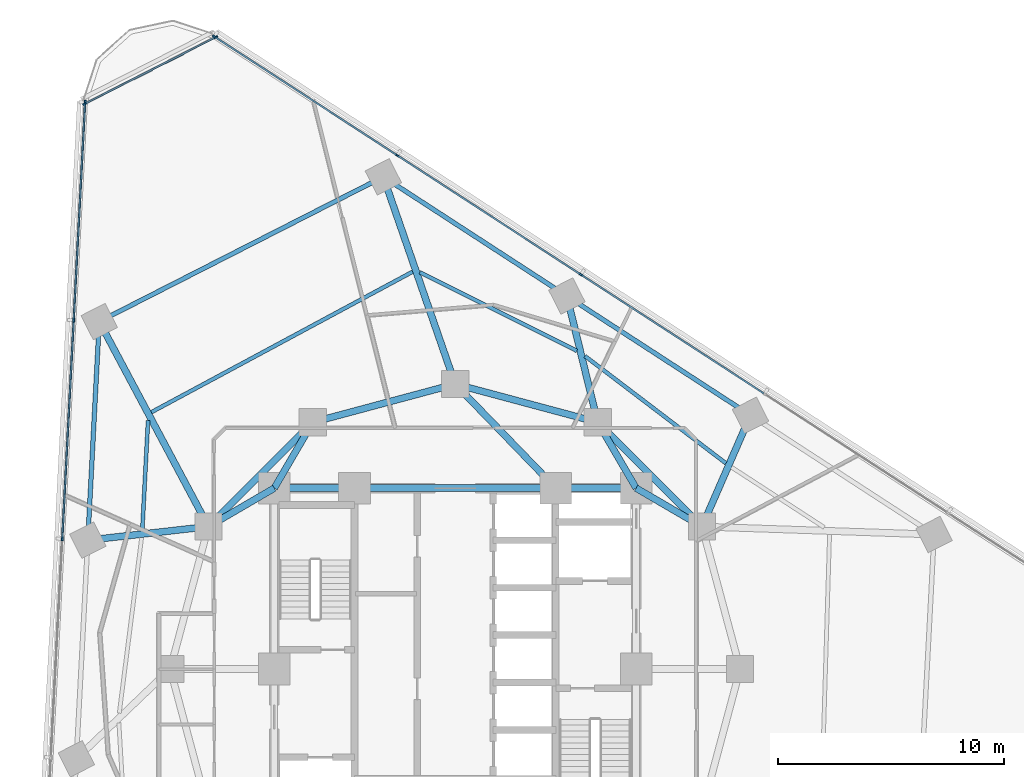
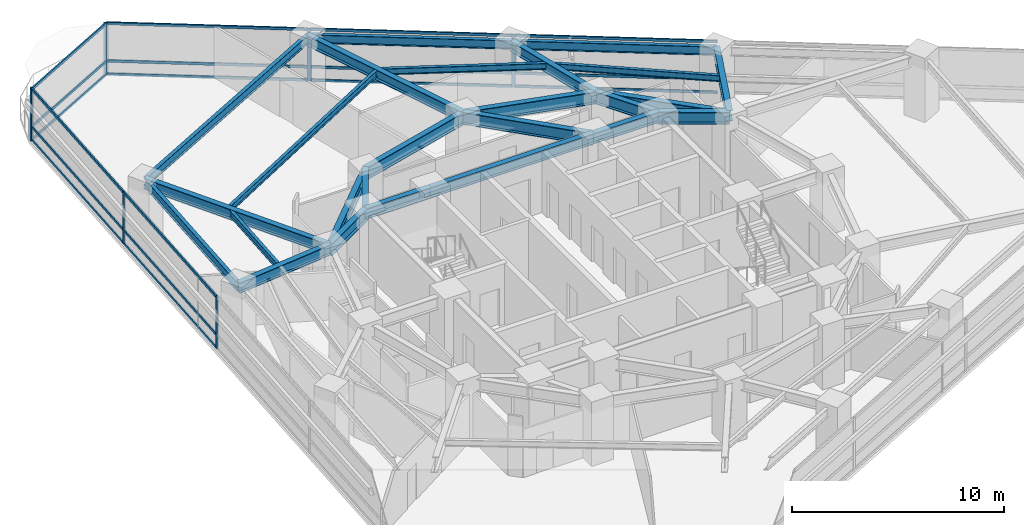
# One storey, part 5 of 14: 26 members, 25 beams, 3 elements without a shape of their own.
"""IFC4 building model written with IfcOpenShell, lengths in metres."""

import ifcopenshell
import ifcopenshell.guid

model = None  # the IFC model being written
_history = None  # IfcOwnerHistory: only IFC2X3 demands one
_inside = {}  # id of a spatial element -> (the spatial element, [elements in it])
_under = {}  # id of a project, library or spatial element -> (it, [spatial elements below it])
_declared = {}  # id of a project -> (the project, [libraries it declares])
_typed = {}  # id of a type object -> (the type object, [elements of that type])
_made_of = {}  # id of a material, layer set ... -> (it, [elements and type objects made of it])


def new_model(schema):
    """Start an empty IFC model of exactly this schema.

    Asked for "IFC4X3", IfcOpenShell would pick the latest addendum, in which some entities
    have other attributes; the version numbers below select the first issue.
    IFC2X3 requires an IfcOwnerHistory on every rooted entity: one is made here for all.
    """
    global model, _history
    if schema == "IFC4X3":
        model = ifcopenshell.file(schema_version=(4, 3, 0, 0))
    else:
        model = ifcopenshell.file(schema=schema)
    _inside.clear()
    _under.clear()
    _declared.clear()
    _typed.clear()
    _made_of.clear()
    _history = None
    if model.schema == "IFC2X3":
        org = make("IfcOrganization", Name="unknown")
        user = make(
            "IfcPersonAndOrganization",
            ThePerson=make("IfcPerson", FamilyName="unknown"),
            TheOrganization=org,
        )
        app = make(
            "IfcApplication",
            ApplicationDeveloper=org,
            Version="unknown",
            ApplicationFullName="unknown",
            ApplicationIdentifier="unknown",
        )
        _history = make(
            "IfcOwnerHistory",
            OwningUser=user,
            OwningApplication=app,
            ChangeAction="ADDED",
            CreationDate=0,
        )
    return model


def make(cls, **values):
    """One entity of the class cls with the attributes given. An attribute that is None is left unset."""
    return model.create_entity(
        cls, **{name: value for name, value in values.items() if value is not None}
    )


def rooted(cls, **values):
    """An entity with a GlobalId (a new one), such as an element, a storey or a relation."""
    return make(cls, GlobalId=ifcopenshell.guid.new(), OwnerHistory=_history, **values)


def si_unit(unit_type, name, prefix=None):
    """IfcSIUnit, for example si_unit("LENGTHUNIT", "METRE", prefix="MILLI")."""
    return make("IfcSIUnit", UnitType=unit_type, Prefix=prefix, Name=name)


def assignment(units):
    """IfcUnitAssignment: the units of a project."""
    return None if units is None else make("IfcUnitAssignment", Units=units)


def point(xyz):
    """IfcCartesianPoint."""
    return None if xyz is None else make("IfcCartesianPoint", Coordinates=xyz)


def direction(xyz):
    """IfcDirection."""
    return None if xyz is None else make("IfcDirection", DirectionRatios=xyz)


def frame(location, z_axis=None, x_axis=None):
    """IfcAxis2Placement3D, a coordinate frame: its origin and axes. An axis left out is left unset."""
    return make(
        "IfcAxis2Placement3D",
        Location=point(location),
        Axis=direction(z_axis),
        RefDirection=direction(x_axis),
    )


def frame_2d(location, x_axis=None):
    """IfcAxis2Placement2D, a coordinate frame in the plane: its origin and x axis."""
    return make(
        "IfcAxis2Placement2D", Location=point(location), RefDirection=direction(x_axis)
    )


def origin():
    """The frame at (0, 0, 0) with its axes left unset."""
    return frame((0.0, 0.0, 0.0))


def origin_2d():
    """The frame at (0, 0) in the plane with its x axis left unset."""
    return frame_2d((0.0, 0.0))


def place(relative_to, where):
    """IfcLocalPlacement: puts the frame where relative to a parent placement (None: the world)."""
    return make(
        "IfcLocalPlacement", PlacementRelTo=relative_to, RelativePlacement=where
    )


def context(
    kind, dimensions, precision=None, world=None, true_north=None, identifier=None
):
    """IfcGeometricRepresentationContext, for example the 3D "Model" context."""
    return make(
        "IfcGeometricRepresentationContext",
        ContextIdentifier=identifier,
        ContextType=kind,
        CoordinateSpaceDimension=dimensions,
        Precision=precision,
        WorldCoordinateSystem=world,
        TrueNorth=true_north,
    )


def subcontext(parent, identifier, kind, view, scale=None):
    """IfcGeometricRepresentationSubContext, for example "Body" below "Model"."""
    return make(
        "IfcGeometricRepresentationSubContext",
        ContextIdentifier=identifier,
        ContextType=kind,
        ParentContext=parent,
        TargetScale=scale,
        TargetView=view,
    )


def project(units=None, contexts=None):
    """IfcProject with its units and contexts."""
    return rooted(
        "IfcProject",
        Name="project",
        RepresentationContexts=contexts,
        UnitsInContext=assignment(units),
    )


def spatial(cls, under=None, at=None, **own):
    """A site, building, storey or space (cls), placed at a placement, below another one or the project."""
    s = rooted(cls, ObjectPlacement=at, **own)
    if under is not None:
        _under.setdefault(under.id(), (under, []))[1].append(s)
    return s


def profile(cls, at=None, kind="AREA", **sizes):
    """A parametric profile (cls). Its sizes go by their IFC names, for example OverallWidth=200.0."""
    return make(cls, ProfileType=kind, Position=at, **sizes)


def rectangle(**sizes):
    """IfcRectangleProfileDef."""
    return profile("IfcRectangleProfileDef", **sizes)


def i_section(**sizes):
    """IfcIShapeProfileDef."""
    return profile("IfcIShapeProfileDef", **sizes)


def extrude(swept, where, along, depth):
    """IfcExtrudedAreaSolid: the profile swept, set in the frame where, extruded along a direction by depth."""
    return make(
        "IfcExtrudedAreaSolid",
        SweptArea=swept,
        Position=where,
        ExtrudedDirection=direction(along),
        Depth=depth,
    )


def shape(context_of_items, identifier, shape_type, items):
    """IfcShapeRepresentation: the items that make up one representation, for example the "Body"."""
    return make(
        "IfcShapeRepresentation",
        ContextOfItems=context_of_items,
        RepresentationIdentifier=identifier,
        RepresentationType=shape_type,
        Items=items,
    )


def material(Name=None, Category=None):
    """IfcMaterial."""
    return make("IfcMaterial", Name=Name, Category=Category)


def layer(
    of_material, thickness, ventilated=None, Name=None, Category=None, Priority=None
):
    """IfcMaterialLayer: one layer of a wall or slab, of a material (None: an air gap)."""
    return make(
        "IfcMaterialLayer",
        Material=of_material,
        LayerThickness=thickness,
        IsVentilated=ventilated,
        Name=Name,
        Category=Category,
        Priority=Priority,
    )


def layer_set(layers, Name=None):
    """IfcMaterialLayerSet."""
    return make("IfcMaterialLayerSet", MaterialLayers=layers, LayerSetName=Name)


def material_profile(
    of_material, cross_section, Name=None, Category=None, Priority=None
):
    """IfcMaterialProfile: a cross section and its material."""
    return make(
        "IfcMaterialProfile",
        Name=Name,
        Material=of_material,
        Profile=cross_section,
        Priority=Priority,
        Category=Category,
    )


def profile_set(profiles, Name=None, composite=None):
    """IfcMaterialProfileSet."""
    return make(
        "IfcMaterialProfileSet",
        Name=Name,
        MaterialProfiles=profiles,
        CompositeProfile=composite,
    )


def made_of(thing, what):
    """Note that an element or type object is made of a material, layer set ...; save() writes the relation."""
    if what is not None:
        _made_of.setdefault(what.id(), (what, []))[1].append(thing)
    return thing


def type_object(cls, material=None, **own):
    """A type object (cls), such as IfcWallType, which elements share."""
    return made_of(rooted(cls, **own), material)


def element(
    cls,
    number,
    at=None,
    inside=None,
    cuts=None,
    type_object=None,
    material=None,
    context=None,
    identifier="Body",
    shape_type=None,
    held_by="IfcProductDefinitionShape",
    body=None,
    shapes=None,
    **own,
):
    """One element of the class cls, such as IfcWall. Its Tag is "e" and its number.

    at: its placement. inside: the storey or other place that contains it. cuts: it is an
    opening in that element (IfcRelVoidsElement). A single representation is given by context,
    identifier, shape_type and body (its items); several are given by shapes. held_by: the class
    of the entity that holds the representations. save() writes the other relations.
    """
    e = rooted(cls, Tag="e%d" % number, ObjectPlacement=at, **own)
    if body is not None:
        shapes = [shape(context, identifier, shape_type, body)]
    if shapes is not None:
        e.Representation = make(held_by, Representations=shapes)
    if inside is not None:
        _inside.setdefault(inside.id(), (inside, []))[1].append(e)
    if cuts is not None:
        rooted(
            "IfcRelVoidsElement", RelatingBuildingElement=cuts, RelatedOpeningElement=e
        )
    if type_object is not None:
        _typed.setdefault(type_object.id(), (type_object, []))[1].append(e)
    return made_of(e, material)


def aggregate(whole, parts):
    """IfcRelAggregates: a whole, such as a stair, and the parts it consists of."""
    return rooted("IfcRelAggregates", RelatingObject=whole, RelatedObjects=parts)


def save(model, path):
    """Write the relations noted so far, then the file.

    IfcRelAggregates (storeys below a building ...), IfcRelContainedInSpatialStructure (elements
    in a storey), IfcRelDefinesByType, IfcRelAssociatesMaterial and IfcRelDeclares: one each for
    every whole, place, type object, material and project.
    """
    for whole, parts in _under.values():
        aggregate(whole, parts)
    for where, things in _inside.values():
        rooted(
            "IfcRelContainedInSpatialStructure",
            RelatedElements=things,
            RelatingStructure=where,
        )
    for kind, things in _typed.values():
        rooted("IfcRelDefinesByType", RelatedObjects=things, RelatingType=kind)
    for what, things in _made_of.values():
        rooted("IfcRelAssociatesMaterial", RelatedObjects=things, RelatingMaterial=what)
    for by, libraries in _declared.values():
        rooted("IfcRelDeclares", RelatingContext=by, RelatedDefinitions=libraries)
    model.write(path)


model = new_model("IFC4")

# Units and contexts
model_context = context("Model", 3, precision=1e-05, world=origin(), true_north=direction((0.0, 1.0)))
body_context = subcontext(model_context, "Body", "Model", "MODEL_VIEW")
ifc_project = project(units=[si_unit("LENGTHUNIT", "METRE"), si_unit("AREAUNIT", "SQUARE_METRE"), si_unit("VOLUMEUNIT", "CUBIC_METRE"), si_unit("PLANEANGLEUNIT", "RADIAN"), si_unit("MASSUNIT", "GRAM", prefix="KILO")], contexts=[model_context])

# Site, building, storey
site_placement = place(None, origin())
site = spatial("IfcSite", under=ifc_project, at=site_placement, CompositionType="ELEMENT")
building_placement = place(site_placement, origin())
building = spatial("IfcBuilding", under=site, at=building_placement, Name="Terralouvre Media Tower", CompositionType="ELEMENT")
storey_placement = place(building_placement, frame((0.0, 0.0, 138.39990234375)))
storey = spatial("IfcBuildingStorey", under=building, at=storey_placement, Name="L35", CompositionType="ELEMENT", Elevation=138.39990234375)

# Beams
ifc_material_1 = material(Name="Structural steel S355J2", Category="steel")
ifc_material_profile_1 = material_profile(ifc_material_1, i_section(OverallWidth=0.169921875, OverallDepth=0.360107421875, WebThickness=0.008056640625, FlangeThickness=0.0126953125, at=origin_2d()), Name="IPE 360")
ifc_profile_set_1 = profile_set([ifc_material_profile_1], Name="Structural steel S355J2")
beam_type_1 = type_object("IfcBeamType", Name="Composite Floor Joist J-IPE360 (IPE 360)", PredefinedType="JOIST", material=ifc_profile_set_1)
beam_1_placement = place(storey_placement, frame((11.970703125, 9.098388671875, 3.320068359375), z_axis=(-0.795913950382, 0.605409765024, 0.0), x_axis=(-0.605409765024, -0.795913950382, 0.0)))
element("IfcBeam", 1, at=beam_1_placement, inside=storey, type_object=beam_type_1, Name="L35 Framing Beam JT-L35-08", PredefinedType="JOIST", context=body_context, shape_type="SweptSolid", body=[
    extrude(i_section(OverallWidth=0.169921875, OverallDepth=0.360107421875, WebThickness=0.008056640625, FlangeThickness=0.0126953125, at=origin_2d()), origin(), (0.0, 0.0, 1.0), 7.8291015625),
])
beam_2_placement = place(storey_placement, frame((5.37744140625, 14.068603515625, 3.320068359375), z_axis=(-0.893973577097, 0.448119675368, 0.0), x_axis=(-0.448119675368, -0.893973577097, 0.0)))
element("IfcBeam", 2, at=beam_2_placement, inside=storey, type_object=beam_type_1, Name="L35 Framing Beam JT-L35-09", PredefinedType="JOIST", context=body_context, shape_type="SweptSolid", body=[
    extrude(i_section(OverallWidth=0.169921875, OverallDepth=0.360107421875, WebThickness=0.008056640625, FlangeThickness=0.0126953125, at=origin_2d()), origin(), (0.0, 0.0, 1.0), 7.758056640625),
])
beam_3_placement = place(storey_placement, frame((-1.880615234375, 17.569580078125, 3.320068359375), z_axis=(-0.880744642144, -0.473591464592, 0.0), x_axis=(0.473591464592, -0.880744642144, 0.0)))
element("IfcBeam", 3, at=beam_3_placement, inside=storey, type_object=beam_type_1, Name="L35 Framing Beam JT-L35-10", PredefinedType="JOIST", context=body_context, shape_type="SweptSolid", body=[
    extrude(i_section(OverallWidth=0.169921875, OverallDepth=0.360107421875, WebThickness=0.008056640625, FlangeThickness=0.0126953125, at=origin_2d()), origin(), (0.0, 0.0, 1.0), 13.11865234375),
])
beam_4_placement = place(storey_placement, frame((-13.58203125, 10.9970703125, 3.320068359375), z_axis=(-0.052377831518, -0.998627339284, 0.0), x_axis=(0.998627339284, -0.052377831518, 0.0)))
element("IfcBeam", 4, at=beam_4_placement, inside=storey, type_object=beam_type_1, Name="L35 Framing Beam JT-L35-11", PredefinedType="JOIST", context=body_context, shape_type="SweptSolid", body=[
    extrude(i_section(OverallWidth=0.169921875, OverallDepth=0.360107421875, WebThickness=0.008056640625, FlangeThickness=0.0126953125, at=origin_2d()), origin(), (0.0, 0.0, 1.0), 4.884765625),
])

# Curtain wall, members
ifc_material_2 = material(Name="Low-iron laminated double glazing with solar-control coating", Category="glass")
ifc_layer_1 = layer(ifc_material_2, 0.1650390625, Name="Production Studio Tower Curtain Wall CW-03")
ifc_layer_set_1 = layer_set([ifc_layer_1], Name="Low-iron laminated double glazing with solar-control coating")
curtain_wall_type_1 = type_object("IfcCurtainWallType", Name="Production Studio Tower Curtain Wall CW-03", PredefinedType="NOTDEFINED", material=ifc_layer_set_1)
curtain_wall_1_placement = place(storey_placement, origin())
curtain_wall_1 = element("IfcCurtainWall", 5, at=curtain_wall_1_placement, inside=storey, type_object=curtain_wall_type_1, Name="L35 Facade Curtain Wall F1", PredefinedType="NOTDEFINED")
ifc_material_3 = material(Name="Anodised extruded aluminium 6063-T6", Category="aluminium")
ifc_material_profile_2 = material_profile(ifc_material_3, rectangle(XDim=0.074951171875, YDim=0.14990234375, at=origin_2d()), Name="ALU 75x150")
ifc_profile_set_2 = profile_set([ifc_material_profile_2], Name="Anodised extruded aluminium 6063-T6")
member_type_1 = type_object("IfcMemberType", Name="Curtain-Wall Horizontal Transom TR-150", PredefinedType="USERDEFINED", material=ifc_profile_set_2)
member_1_placement = place(storey_placement, frame((13.6416015625, 12.1884765625, 0.03759765625), z_axis=(-0.838672931076, 0.544635396095, 0.0), x_axis=(-0.544635396095, -0.838672931076, 0.0)))
member_1 = element("IfcMember", 6, at=member_1_placement, type_object=member_type_1, Name="CW-03 transom 3.1", ObjectType="TRANSOM", PredefinedType="USERDEFINED", context=body_context, shape_type="SweptSolid", body=[
    extrude(rectangle(XDim=0.074951171875, YDim=0.14990234375, at=origin_2d()), origin(), (0.0, 0.0, 1.0), 9.60498046875),
])
member_2_placement = place(storey_placement, frame((13.6416015625, 12.1884765625, 0.800048828125), z_axis=(-0.838672931076, 0.544635396095, 0.0), x_axis=(-0.544635396095, -0.838672931076, 0.0)))
member_2 = element("IfcMember", 7, at=member_2_placement, type_object=member_type_1, Name="CW-03 transom 3.2", ObjectType="TRANSOM", PredefinedType="USERDEFINED", context=body_context, shape_type="SweptSolid", body=[
    extrude(rectangle(XDim=0.074951171875, YDim=0.14990234375, at=origin_2d()), origin(), (0.0, 0.0, 1.0), 9.60498046875),
])
member_3_placement = place(storey_placement, frame((13.6416015625, 12.1884765625, 2.962646484375), z_axis=(-0.838672931076, 0.544635396095, 0.0), x_axis=(-0.544635396095, -0.838672931076, 0.0)))
member_3 = element("IfcMember", 8, at=member_3_placement, type_object=member_type_1, Name="CW-03 transom 3.3", ObjectType="TRANSOM", PredefinedType="USERDEFINED", context=body_context, shape_type="SweptSolid", body=[
    extrude(rectangle(XDim=0.074951171875, YDim=0.14990234375, at=origin_2d()), origin(), (0.0, 0.0, 1.0), 9.60498046875),
])
member_4_placement = place(storey_placement, frame((5.523193359375, 17.460693359375, 0.03759765625), z_axis=(-0.838672931076, 0.544635396095, 0.0), x_axis=(-0.544635396095, -0.838672931076, 0.0)))
member_4 = element("IfcMember", 9, at=member_4_placement, type_object=member_type_1, Name="CW-03 transom 4.1", ObjectType="TRANSOM", PredefinedType="USERDEFINED", context=body_context, shape_type="SweptSolid", body=[
    extrude(rectangle(XDim=0.074951171875, YDim=0.14990234375, at=origin_2d()), origin(), (0.0, 0.0, 1.0), 9.60498046875),
])
member_5_placement = place(storey_placement, frame((5.523193359375, 17.460693359375, 0.800048828125), z_axis=(-0.838672931076, 0.544635396095, 0.0), x_axis=(-0.544635396095, -0.838672931076, 0.0)))
member_5 = element("IfcMember", 10, at=member_5_placement, type_object=member_type_1, Name="CW-03 transom 4.2", ObjectType="TRANSOM", PredefinedType="USERDEFINED", context=body_context, shape_type="SweptSolid", body=[
    extrude(rectangle(XDim=0.074951171875, YDim=0.14990234375, at=origin_2d()), origin(), (0.0, 0.0, 1.0), 9.60498046875),
])
member_6_placement = place(storey_placement, frame((5.523193359375, 17.460693359375, 2.962646484375), z_axis=(-0.838672931076, 0.544635396095, 0.0), x_axis=(-0.544635396095, -0.838672931076, 0.0)))
member_6 = element("IfcMember", 11, at=member_6_placement, type_object=member_type_1, Name="CW-03 transom 4.3", ObjectType="TRANSOM", PredefinedType="USERDEFINED", context=body_context, shape_type="SweptSolid", body=[
    extrude(rectangle(XDim=0.074951171875, YDim=0.14990234375, at=origin_2d()), origin(), (0.0, 0.0, 1.0), 9.60498046875),
])
member_7_placement = place(storey_placement, frame((-2.594970703125, 22.732666015625, 0.03759765625), z_axis=(-0.838671492993, 0.544637610565, 0.0), x_axis=(-0.544637610565, -0.838671492993, 0.0)))
member_7 = element("IfcMember", 12, at=member_7_placement, type_object=member_type_1, Name="CW-03 transom 5.1", ObjectType="TRANSOM", PredefinedType="USERDEFINED", context=body_context, shape_type="SweptSolid", body=[
    extrude(rectangle(XDim=0.074951171875, YDim=0.14990234375, at=origin_2d()), origin(), (0.0, 0.0, 1.0), 9.567626953125),
])
member_8_placement = place(storey_placement, frame((-2.594970703125, 22.732666015625, 0.800048828125), z_axis=(-0.838671492993, 0.544637610565, 0.0), x_axis=(-0.544637610565, -0.838671492993, 0.0)))
member_8 = element("IfcMember", 13, at=member_8_placement, type_object=member_type_1, Name="CW-03 transom 5.2", ObjectType="TRANSOM", PredefinedType="USERDEFINED", context=body_context, shape_type="SweptSolid", body=[
    extrude(rectangle(XDim=0.074951171875, YDim=0.14990234375, at=origin_2d()), origin(), (0.0, 0.0, 1.0), 9.567626953125),
])
member_9_placement = place(storey_placement, frame((-2.594970703125, 22.732666015625, 2.962646484375), z_axis=(-0.838671492993, 0.544637610565, 0.0), x_axis=(-0.544637610565, -0.838671492993, 0.0)))
member_9 = element("IfcMember", 14, at=member_9_placement, type_object=member_type_1, Name="CW-03 transom 5.3", ObjectType="TRANSOM", PredefinedType="USERDEFINED", context=body_context, shape_type="SweptSolid", body=[
    extrude(rectangle(XDim=0.074951171875, YDim=0.14990234375, at=origin_2d()), origin(), (0.0, 0.0, 1.0), 9.567626953125),
])

curtain_wall_2_placement = place(storey_placement, origin())
curtain_wall_2 = element("IfcCurtainWall", 15, at=curtain_wall_2_placement, inside=storey, type_object=curtain_wall_type_1, Name="L35 Facade Curtain Wall F2", PredefinedType="NOTDEFINED")
member_10_placement = place(storey_placement, frame((-16.364990234375, 25.015869140625, 0.03759765625), z_axis=(-0.052336504837, -0.998629506004, 0.0), x_axis=(0.998629506004, -0.052336504837, 0.0)))
member_10 = element("IfcMember", 16, at=member_10_placement, type_object=member_type_1, Name="CW-03 transom 1.1", ObjectType="TRANSOM", PredefinedType="USERDEFINED", context=body_context, shape_type="SweptSolid", body=[
    extrude(rectangle(XDim=0.074951171875, YDim=0.14990234375, at=origin_2d()), origin(), (0.0, 0.0, 1.0), 9.567626953125),
])
member_11_placement = place(storey_placement, frame((-16.364990234375, 25.015869140625, 0.800048828125), z_axis=(-0.052336504837, -0.998629506004, 0.0), x_axis=(0.998629506004, -0.052336504837, 0.0)))
member_11 = element("IfcMember", 17, at=member_11_placement, type_object=member_type_1, Name="CW-03 transom 1.2", ObjectType="TRANSOM", PredefinedType="USERDEFINED", context=body_context, shape_type="SweptSolid", body=[
    extrude(rectangle(XDim=0.074951171875, YDim=0.14990234375, at=origin_2d()), origin(), (0.0, 0.0, 1.0), 9.567626953125),
])
member_12_placement = place(storey_placement, frame((-16.364990234375, 25.015869140625, 2.962646484375), z_axis=(-0.052336504837, -0.998629506004, 0.0), x_axis=(0.998629506004, -0.052336504837, 0.0)))
member_12 = element("IfcMember", 18, at=member_12_placement, type_object=member_type_1, Name="CW-03 transom 1.3", ObjectType="TRANSOM", PredefinedType="USERDEFINED", context=body_context, shape_type="SweptSolid", body=[
    extrude(rectangle(XDim=0.074951171875, YDim=0.14990234375, at=origin_2d()), origin(), (0.0, 0.0, 1.0), 9.567626953125),
])
member_13_placement = place(storey_placement, frame((-16.86962890625, 15.386474609375, 0.03759765625), z_axis=(-0.052336036535, -0.998629530547, 0.0), x_axis=(0.998629530547, -0.052336036535, 0.0)))
member_13 = element("IfcMember", 19, at=member_13_placement, type_object=member_type_1, Name="CW-03 transom 2.1", ObjectType="TRANSOM", PredefinedType="USERDEFINED", context=body_context, shape_type="SweptSolid", body=[
    extrude(rectangle(XDim=0.074951171875, YDim=0.14990234375, at=origin_2d()), origin(), (0.0, 0.0, 1.0), 9.60498046875),
])
member_14_placement = place(storey_placement, frame((-16.86962890625, 15.386474609375, 0.800048828125), z_axis=(-0.052336036535, -0.998629530547, 0.0), x_axis=(0.998629530547, -0.052336036535, 0.0)))
member_14 = element("IfcMember", 20, at=member_14_placement, type_object=member_type_1, Name="CW-03 transom 2.2", ObjectType="TRANSOM", PredefinedType="USERDEFINED", context=body_context, shape_type="SweptSolid", body=[
    extrude(rectangle(XDim=0.074951171875, YDim=0.14990234375, at=origin_2d()), origin(), (0.0, 0.0, 1.0), 9.60498046875),
])
member_15_placement = place(storey_placement, frame((-16.86962890625, 15.386474609375, 2.962646484375), z_axis=(-0.052336036535, -0.998629530547, 0.0), x_axis=(0.998629530547, -0.052336036535, 0.0)))
member_15 = element("IfcMember", 21, at=member_15_placement, type_object=member_type_1, Name="CW-03 transom 2.3", ObjectType="TRANSOM", PredefinedType="USERDEFINED", context=body_context, shape_type="SweptSolid", body=[
    extrude(rectangle(XDim=0.074951171875, YDim=0.14990234375, at=origin_2d()), origin(), (0.0, 0.0, 1.0), 9.60498046875),
])

ifc_material_4 = material(Name="Low-iron laminated double glazing with solar-control coating", Category="glass")
ifc_layer_2 = layer(ifc_material_4, 0.1650390625, Name="Rounded Wind-Corner Curved Glazing CW-04")
ifc_layer_set_2 = layer_set([ifc_layer_2], Name="Low-iron laminated double glazing with solar-control coating")
curtain_wall_type_2 = type_object("IfcCurtainWallType", Name="Rounded Wind-Corner Curved Glazing CW-04", PredefinedType="NOTDEFINED", material=ifc_layer_set_2)
curtain_wall_3_placement = place(storey_placement, origin())
curtain_wall_3 = element("IfcCurtainWall", 22, at=curtain_wall_3_placement, inside=storey, type_object=curtain_wall_type_2, Name="L35 Rounded Wind-Corner Curtain Wall C2", PredefinedType="NOTDEFINED")
member_16_placement = place(storey_placement, frame((-10.619873046875, 27.92626953125, 0.03759765625), z_axis=(-0.891007919555, -0.453987761167, 0.0), x_axis=(0.453987761167, -0.891007919555, 0.0)))
member_16 = element("IfcMember", 23, at=member_16_placement, type_object=member_type_1, Name="CW-04 transom 1.1", ObjectType="TRANSOM", PredefinedType="USERDEFINED", context=body_context, shape_type="SweptSolid", body=[
    extrude(rectangle(XDim=0.074951171875, YDim=0.14990234375, at=origin_2d()), origin(), (0.0, 0.0, 1.0), 6.431640625),
])
member_17_placement = place(storey_placement, frame((-10.619873046875, 27.92626953125, 0.800048828125), z_axis=(-0.891007919555, -0.453987761167, 0.0), x_axis=(0.453987761167, -0.891007919555, 0.0)))
member_17 = element("IfcMember", 24, at=member_17_placement, type_object=member_type_1, Name="CW-04 transom 1.2", ObjectType="TRANSOM", PredefinedType="USERDEFINED", context=body_context, shape_type="SweptSolid", body=[
    extrude(rectangle(XDim=0.074951171875, YDim=0.14990234375, at=origin_2d()), origin(), (0.0, 0.0, 1.0), 6.431640625),
])
member_18_placement = place(storey_placement, frame((-10.619873046875, 27.92626953125, 2.962646484375), z_axis=(-0.891007919555, -0.453987761167, 0.0), x_axis=(0.453987761167, -0.891007919555, 0.0)))
member_18 = element("IfcMember", 25, at=member_18_placement, type_object=member_type_1, Name="CW-04 transom 1.3", ObjectType="TRANSOM", PredefinedType="USERDEFINED", context=body_context, shape_type="SweptSolid", body=[
    extrude(rectangle(XDim=0.074951171875, YDim=0.14990234375, at=origin_2d()), origin(), (0.0, 0.0, 1.0), 6.431640625),
])

# Member
ifc_material_5 = material(Name="Anodised extruded aluminium 6063-T6", Category="aluminium")
ifc_material_profile_3 = material_profile(ifc_material_5, rectangle(XDim=0.074951171875, YDim=0.179931640625, at=origin_2d()), Name="ALU 75x180")
ifc_profile_set_3 = profile_set([ifc_material_profile_3], Name="Anodised extruded aluminium 6063-T6")
member_type_2 = type_object("IfcMemberType", Name="Curtain-Wall Vertical Mullion ML-180", PredefinedType="MULLION", material=ifc_profile_set_3)
member_19_placement = place(storey_placement, frame((5.5546875, 17.440185546875, 0.0), z_axis=(0.0, 0.0, 1.0), x_axis=(-0.544639002681, -0.838670588944, 0.0)))
member_19 = element("IfcMember", 26, at=member_19_placement, type_object=member_type_2, Name="CW-03 mullion 4", PredefinedType="MULLION", context=body_context, shape_type="SweptSolid", body=[
    extrude(rectangle(XDim=0.074951171875, YDim=0.179931640625, at=origin_2d()), origin(), (0.0, 0.0, 1.0), 3.0),
])

member_20_placement = place(storey_placement, frame((-2.5634765625, 22.712158203125, 0.0), z_axis=(0.0, 0.0, 1.0), x_axis=(-0.544639002681, -0.838670588944, 0.0)))
member_20 = element("IfcMember", 27, at=member_20_placement, type_object=member_type_2, Name="CW-03 mullion 5", PredefinedType="MULLION", context=body_context, shape_type="SweptSolid", body=[
    extrude(rectangle(XDim=0.074951171875, YDim=0.179931640625, at=origin_2d()), origin(), (0.0, 0.0, 1.0), 3.0),
])

member_21_placement = place(storey_placement, frame((-10.650390625, 27.9638671875, 0.0), z_axis=(0.0, 0.0, 1.0), x_axis=(-0.544639002681, -0.838670588944, 0.0)))
member_21 = element("IfcMember", 28, at=member_21_placement, type_object=member_type_2, Name="CW-03 mullion 6", PredefinedType="MULLION", context=body_context, shape_type="SweptSolid", body=[
    extrude(rectangle(XDim=0.074951171875, YDim=0.179931640625, at=origin_2d()), origin(), (0.0, 0.0, 1.0), 3.0),
])

aggregate(curtain_wall_1, [member_19, member_20, member_21, member_1, member_2, member_3, member_4, member_5, member_6, member_7, member_8, member_9])

member_22_placement = place(storey_placement, frame((-16.363037109375, 25.05322265625, 0.0), z_axis=(0.0, 0.0, 1.0), x_axis=(0.998629535089, -0.052335949864, 0.0)))
member_22 = element("IfcMember", 29, at=member_22_placement, type_object=member_type_2, Name="CW-03 mullion 1", PredefinedType="MULLION", context=body_context, shape_type="SweptSolid", body=[
    extrude(rectangle(XDim=0.074951171875, YDim=0.179931640625, at=origin_2d()), origin(), (0.0, 0.0, 1.0), 3.0),
])

member_23_placement = place(storey_placement, frame((-16.86767578125, 15.423828125, 0.0), z_axis=(0.0, 0.0, 1.0), x_axis=(0.998629535089, -0.052335949864, 0.0)))
member_23 = element("IfcMember", 30, at=member_23_placement, type_object=member_type_2, Name="CW-03 mullion 2", PredefinedType="MULLION", context=body_context, shape_type="SweptSolid", body=[
    extrude(rectangle(XDim=0.074951171875, YDim=0.179931640625, at=origin_2d()), origin(), (0.0, 0.0, 1.0), 3.0),
])

member_24_placement = place(storey_placement, frame((-17.374267578125, 5.757080078125, 0.0), z_axis=(0.0, 0.0, 1.0), x_axis=(0.998629535089, -0.052335949864, 0.0)))
member_24 = element("IfcMember", 31, at=member_24_placement, type_object=member_type_2, Name="CW-03 mullion 3", PredefinedType="MULLION", context=body_context, shape_type="SweptSolid", body=[
    extrude(rectangle(XDim=0.074951171875, YDim=0.179931640625, at=origin_2d()), origin(), (0.0, 0.0, 1.0), 3.0),
])

aggregate(curtain_wall_2, [member_22, member_23, member_24, member_10, member_11, member_12, member_13, member_14, member_15])

member_25_placement = place(storey_placement, frame((-10.58642578125, 27.943359375, 0.0), z_axis=(0.0, 0.0, 1.0), x_axis=(0.45399035059, -0.891006600184, 0.0)))
member_25 = element("IfcMember", 32, at=member_25_placement, type_object=member_type_2, Name="CW-04 mullion 1", PredefinedType="MULLION", context=body_context, shape_type="SweptSolid", body=[
    extrude(rectangle(XDim=0.074951171875, YDim=0.179931640625, at=origin_2d()), origin(), (0.0, 0.0, 1.0), 3.0),
])

member_26_placement = place(storey_placement, frame((-16.384033203125, 24.9892578125, 0.0), z_axis=(0.0, 0.0, 1.0), x_axis=(0.45399035059, -0.891006600184, 0.0)))
member_26 = element("IfcMember", 33, at=member_26_placement, type_object=member_type_2, Name="CW-04 mullion 2", PredefinedType="MULLION", context=body_context, shape_type="SweptSolid", body=[
    extrude(rectangle(XDim=0.074951171875, YDim=0.179931640625, at=origin_2d()), origin(), (0.0, 0.0, 1.0), 3.0),
])

aggregate(curtain_wall_3, [member_25, member_26, member_16, member_17, member_18])

# Beams
ifc_material_6 = material(Name="Structural steel S355J2", Category="steel")
ifc_material_profile_4 = material_profile(ifc_material_6, i_section(OverallWidth=0.199951171875, OverallDepth=0.5, WebThickness=0.01025390625, FlangeThickness=0.01611328125, at=origin_2d()), Name="IPE 500")
ifc_profile_set_4 = profile_set([ifc_material_profile_4], Name="Structural steel S355J2")
beam_type_2 = type_object("IfcBeamType", Name="Perimeter Spandrel Beam SPB-500 (IPE 500)", PredefinedType="SPANDREL", material=ifc_profile_set_4)
for number, where, z_axis, x_axis, name in (
    (34, (13.0576171875, 11.220458984375, 3.25), (-0.838679216118, 0.544625717765, 0.0), (-0.544625717765, -0.838679216118, 0.0), "L35 Framing Beam BM-L35-PR08"),
    (35, (4.939208984375, 16.492431640625, 3.25), (-0.838660214263, 0.544654977956, 0.0), (-0.544654977956, -0.838660214263, 0.0), "L35 Framing Beam BM-L35-PR09"),
):
    element("IfcBeam", number, at=place(storey_placement, frame(where, z_axis=z_axis, x_axis=x_axis)), inside=storey, type_object=beam_type_2, Name=name, PredefinedType="SPANDREL", context=body_context, shape_type="SweptSolid", body=[
        extrude(i_section(OverallWidth=0.199951171875, OverallDepth=0.5, WebThickness=0.01025390625, FlangeThickness=0.01611328125, at=origin_2d()), origin(), (0.0, 0.0, 1.0), 9.679931640625),
    ])
beam_5_placement = place(storey_placement, frame((-3.178955078125, 21.7646484375, 3.25), z_axis=(-0.891003412269, -0.453996607173, 0.0), x_axis=(0.453996607173, -0.891003412269, 0.0)))
element("IfcBeam", 36, at=beam_5_placement, inside=storey, type_object=beam_type_2, Name="L35 Framing Beam BM-L35-PR10", PredefinedType="SPANDREL", context=body_context, shape_type="SweptSolid", body=[
    extrude(i_section(OverallWidth=0.199951171875, OverallDepth=0.5, WebThickness=0.01025390625, FlangeThickness=0.01611328125, at=origin_2d()), origin(), (0.0, 0.0, 1.0), 14.096923828125),
])
beam_6_placement = place(storey_placement, frame((-15.7392578125, 15.36474609375, 3.25), z_axis=(-0.052333792648, -0.998629648141, 0.0), x_axis=(0.998629648141, -0.052333792648, 0.0)))
element("IfcBeam", 37, at=beam_6_placement, inside=storey, type_object=beam_type_2, Name="L35 Framing Beam BM-L35-PR11", PredefinedType="SPANDREL", context=body_context, shape_type="SweptSolid", body=[
    extrude(i_section(OverallWidth=0.199951171875, OverallDepth=0.5, WebThickness=0.01025390625, FlangeThickness=0.01611328125, at=origin_2d()), origin(), (0.0, 0.0, 1.0), 9.679931640625),
])
ifc_material_7 = material(Name="Structural steel S460M", Category="steel")
ifc_material_profile_5 = material_profile(ifc_material_7, i_section(OverallWidth=0.300048828125, OverallDepth=0.60009765625, WebThickness=0.015380859375, FlangeThickness=0.030029296875, at=origin_2d()), Name="HEB 600")
ifc_profile_set_5 = profile_set([ifc_material_profile_5], Name="Structural steel S460M")
beam_type_3 = type_object("IfcBeamType", Name="Primary Floor Girder B-HEB600 (HEB 600)", PredefinedType="BEAM", material=ifc_profile_set_5)
beam_7_placement = place(storey_placement, frame((8.0, 8.0, 3.2001953125), z_axis=(-1.0, 0.0, 0.0), x_axis=(0.0, -1.0, 0.0)))
element("IfcBeam", 38, at=beam_7_placement, inside=storey, type_object=beam_type_3, Name="L35 Framing Beam BM-L35-CPR06", PredefinedType="BEAM", context=body_context, shape_type="SweptSolid", body=[
    extrude(i_section(OverallWidth=0.300048828125, OverallDepth=0.60009765625, WebThickness=0.015380859375, FlangeThickness=0.030029296875, at=origin_2d()), origin(), (0.0, 0.0, 1.0), 3.550048828125),
])
beam_8_placement = place(storey_placement, frame((4.449951171875, 8.0, 3.2001953125), z_axis=(-1.0, 0.0, 0.0), x_axis=(0.0, -1.0, 0.0)))
element("IfcBeam", 39, at=beam_8_placement, inside=storey, type_object=beam_type_3, Name="L35 Framing Beam BM-L35-CPR07", PredefinedType="BEAM", context=body_context, shape_type="SweptSolid", body=[
    extrude(i_section(OverallWidth=0.300048828125, OverallDepth=0.60009765625, WebThickness=0.015380859375, FlangeThickness=0.030029296875, at=origin_2d()), origin(), (0.0, 0.0, 1.0), 8.89990234375),
])
beam_9_placement = place(storey_placement, frame((-4.449951171875, 8.0, 3.2001953125), z_axis=(-1.0, 0.0, 0.0), x_axis=(0.0, -1.0, 0.0)))
element("IfcBeam", 40, at=beam_9_placement, inside=storey, type_object=beam_type_3, Name="L35 Framing Beam BM-L35-CPR08", PredefinedType="BEAM", context=body_context, shape_type="SweptSolid", body=[
    extrude(i_section(OverallWidth=0.300048828125, OverallDepth=0.60009765625, WebThickness=0.015380859375, FlangeThickness=0.030029296875, at=origin_2d()), origin(), (0.0, 0.0, 1.0), 3.550048828125),
])
beam_10_placement = place(storey_placement, frame((10.911865234375, 6.300048828125, 3.2001953125), z_axis=(0.39973535277, 0.916630595031, 0.0), x_axis=(-0.916630595031, 0.39973535277, 0.0)))
element("IfcBeam", 41, at=beam_10_placement, inside=storey, type_object=beam_type_3, Name="L35 Framing Beam BM-L35-RD08", PredefinedType="BEAM", context=body_context, shape_type="SweptSolid", body=[
    extrude(i_section(OverallWidth=0.300048828125, OverallDepth=0.60009765625, WebThickness=0.015380859375, FlangeThickness=0.030029296875, at=origin_2d()), origin(), (0.0, 0.0, 1.0), 5.367919921875),
])
beam_11_placement = place(storey_placement, frame((6.300048828125, 10.911865234375, 3.2001953125), z_axis=(-0.23691117125, 0.971531315469, 0.0), x_axis=(-0.971531315469, -0.23691117125, 0.0)))
element("IfcBeam", 42, at=beam_11_placement, inside=storey, type_object=beam_type_3, Name="L35 Framing Beam BM-L35-RD09", PredefinedType="BEAM", context=body_context, shape_type="SweptSolid", body=[
    extrude(i_section(OverallWidth=0.300048828125, OverallDepth=0.60009765625, WebThickness=0.015380859375, FlangeThickness=0.030029296875, at=origin_2d()), origin(), (0.0, 0.0, 1.0), 5.744140625),
])
beam_12_placement = place(storey_placement, frame((0.0, 12.60009765625, 3.2001953125), z_axis=(-0.327719061781, 0.944775220116, 0.0), x_axis=(-0.944775220116, -0.327719061781, 0.0)))
element("IfcBeam", 43, at=beam_12_placement, inside=storey, type_object=beam_type_3, Name="L35 Framing Beam BM-L35-RD10", PredefinedType="BEAM", context=body_context, shape_type="SweptSolid", body=[
    extrude(i_section(OverallWidth=0.300048828125, OverallDepth=0.60009765625, WebThickness=0.015380859375, FlangeThickness=0.030029296875, at=origin_2d()), origin(), (0.0, 0.0, 1.0), 9.7001953125),
])
beam_13_placement = place(storey_placement, frame((-10.911865234375, 6.300048828125, 3.2001953125), z_axis=(-0.470048953024, 0.882640346778, 0.0), x_axis=(-0.882640346778, -0.470048953024, 0.0)))
element("IfcBeam", 44, at=beam_13_placement, inside=storey, type_object=beam_type_3, Name="L35 Framing Beam BM-L35-RD11", PredefinedType="BEAM", context=body_context, shape_type="SweptSolid", body=[
    extrude(i_section(OverallWidth=0.300048828125, OverallDepth=0.60009765625, WebThickness=0.015380859375, FlangeThickness=0.030029296875, at=origin_2d()), origin(), (0.0, 0.0, 1.0), 10.27001953125),
])
beam_14_placement = place(storey_placement, frame((-10.911865234375, 6.300048828125, 3.2001953125), z_axis=(-0.993690322099, -0.112158565283, 0.0), x_axis=(0.112158565283, -0.993690322099, 0.0)))
element("IfcBeam", 45, at=beam_14_placement, inside=storey, type_object=beam_type_3, Name="L35 Framing Beam BM-L35-RD12", PredefinedType="BEAM", context=body_context, shape_type="SweptSolid", body=[
    extrude(i_section(OverallWidth=0.300048828125, OverallDepth=0.60009765625, WebThickness=0.015380859375, FlangeThickness=0.030029296875, at=origin_2d()), origin(), (0.0, 0.0, 1.0), 5.367919921875),
])
ifc_material_8 = material(Name="Structural steel S460M", Category="steel")
ifc_material_profile_6 = material_profile(ifc_material_8, i_section(OverallWidth=0.300048828125, OverallDepth=0.699951171875, WebThickness=0.01708984375, FlangeThickness=0.031982421875, at=origin_2d()), Name="HEB 700")
ifc_profile_set_6 = profile_set([ifc_material_profile_6], Name="Structural steel S460M")
beam_type_4 = type_object("IfcBeamType", Name="Primary Floor Girder B-HEB700 (HEB 700)", PredefinedType="BEAM", material=ifc_profile_set_6)
beam_15_placement = place(storey_placement, frame((10.911865234375, 6.300048828125, 3.150146484375), z_axis=(-0.707106781187, 0.707106781187, 0.0), x_axis=(-0.707106781187, -0.707106781187, 0.0)))
element("IfcBeam", 46, at=beam_15_placement, inside=storey, type_object=beam_type_4, Name="L35 Framing Beam BM-L35-MR07", PredefinedType="BEAM", context=body_context, shape_type="SweptSolid", body=[
    extrude(i_section(OverallWidth=0.300048828125, OverallDepth=0.699951171875, WebThickness=0.01708984375, FlangeThickness=0.031982421875, at=origin_2d()), origin(), (0.0, 0.0, 1.0), 6.52197265625),
])
for number, where, z_axis, x_axis, name in (
    (47, (6.300048828125, 10.911865234375, 3.150146484375), (-0.965920481897, 0.258838989821, 0.0), (-0.258838989821, -0.965920481897, 0.0), "L35 Framing Beam BM-L35-MR08"),
    (48, (0.0, 12.60009765625, 3.150146484375), (-0.965920481897, -0.258838989821, 0.0), (0.258838989821, -0.965920481897, 0.0), "L35 Framing Beam BM-L35-MR09"),
):
    element("IfcBeam", number, at=place(storey_placement, frame(where, z_axis=z_axis, x_axis=x_axis)), inside=storey, type_object=beam_type_4, Name=name, PredefinedType="BEAM", context=body_context, shape_type="SweptSolid", body=[
        extrude(i_section(OverallWidth=0.300048828125, OverallDepth=0.699951171875, WebThickness=0.01708984375, FlangeThickness=0.031982421875, at=origin_2d()), origin(), (0.0, 0.0, 1.0), 6.522216796875),
    ])
beam_16_placement = place(storey_placement, frame((-6.300048828125, 10.911865234375, 3.150146484375), z_axis=(-0.707106781187, -0.707106781187, 0.0), x_axis=(0.707106781187, -0.707106781187, 0.0)))
element("IfcBeam", 49, at=beam_16_placement, inside=storey, type_object=beam_type_4, Name="L35 Framing Beam BM-L35-MR10", PredefinedType="BEAM", context=body_context, shape_type="SweptSolid", body=[
    extrude(i_section(OverallWidth=0.300048828125, OverallDepth=0.699951171875, WebThickness=0.01708984375, FlangeThickness=0.031982421875, at=origin_2d()), origin(), (0.0, 0.0, 1.0), 6.52197265625),
])
for number, where, z_axis, x_axis, name in (
    (50, (8.0, 8.0, 3.150146484375), (0.863602894532, -0.504172629717, 0.0), (0.504172629717, 0.863602894532, 0.0), "L35 Framing Beam BM-L35-CM07"),
    (51, (8.0, 8.0, 3.150146484375), (-0.504172629717, 0.863602894532, 0.0), (-0.863602894532, -0.504172629717, 0.0), "L35 Framing Beam BM-L35-CM08"),
):
    element("IfcBeam", number, at=place(storey_placement, frame(where, z_axis=z_axis, x_axis=x_axis)), inside=storey, type_object=beam_type_4, Name=name, PredefinedType="BEAM", context=body_context, shape_type="SweptSolid", body=[
        extrude(i_section(OverallWidth=0.300048828125, OverallDepth=0.699951171875, WebThickness=0.01708984375, FlangeThickness=0.031982421875, at=origin_2d()), origin(), (0.0, 0.0, 1.0), 3.371826171875),
    ])
beam_17_placement = place(storey_placement, frame((4.449951171875, 8.0, 3.150146484375), z_axis=(-0.695279715726, 0.718739255155, 0.0), x_axis=(-0.718739255155, -0.695279715726, 0.0)))
element("IfcBeam", 52, at=beam_17_placement, inside=storey, type_object=beam_type_4, Name="L35 Framing Beam BM-L35-CM09", PredefinedType="BEAM", context=body_context, shape_type="SweptSolid", body=[
    extrude(i_section(OverallWidth=0.300048828125, OverallDepth=0.699951171875, WebThickness=0.01708984375, FlangeThickness=0.031982421875, at=origin_2d()), origin(), (0.0, 0.0, 1.0), 6.400146484375),
])
for number, where, z_axis, x_axis, name in (
    (53, (-8.0, 8.0, 3.150146484375), (0.504172629717, 0.863602894532, 0.0), (-0.863602894532, 0.504172629717, 0.0), "L35 Framing Beam BM-L35-CM10"),
    (54, (-8.0, 8.0, 3.150146484375), (-0.863602894532, -0.504172629717, 0.0), (0.504172629717, -0.863602894532, 0.0), "L35 Framing Beam BM-L35-CM11"),
):
    element("IfcBeam", number, at=place(storey_placement, frame(where, z_axis=z_axis, x_axis=x_axis)), inside=storey, type_object=beam_type_4, Name=name, PredefinedType="BEAM", context=body_context, shape_type="SweptSolid", body=[
        extrude(i_section(OverallWidth=0.300048828125, OverallDepth=0.699951171875, WebThickness=0.01708984375, FlangeThickness=0.031982421875, at=origin_2d()), origin(), (0.0, 0.0, 1.0), 3.371826171875),
    ])

save(model, "model.ifc")
